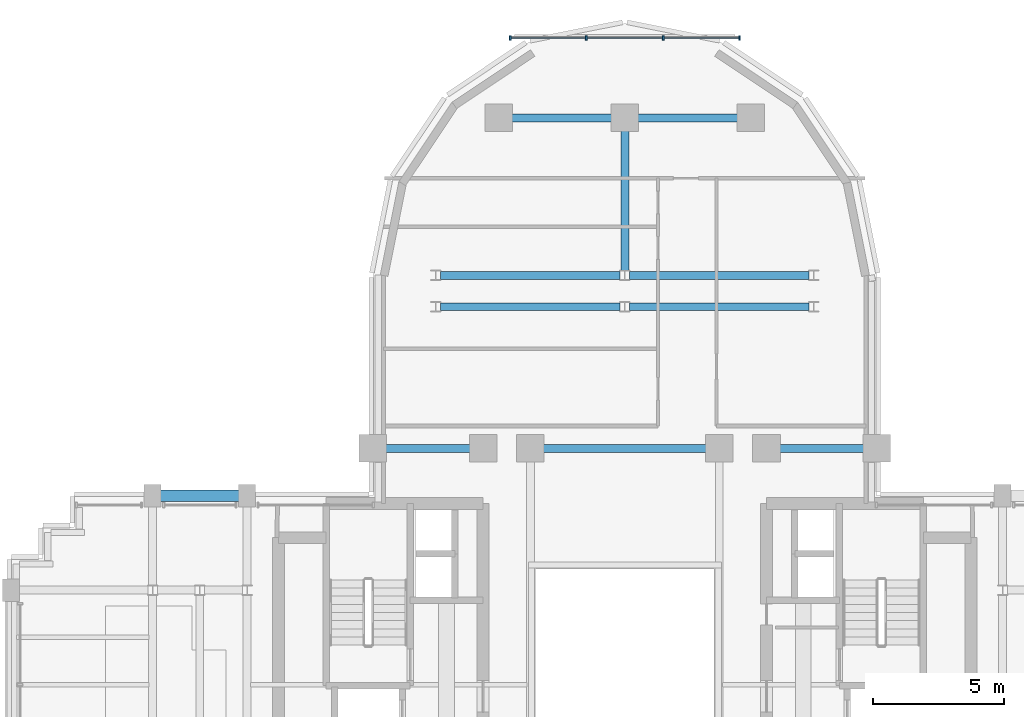
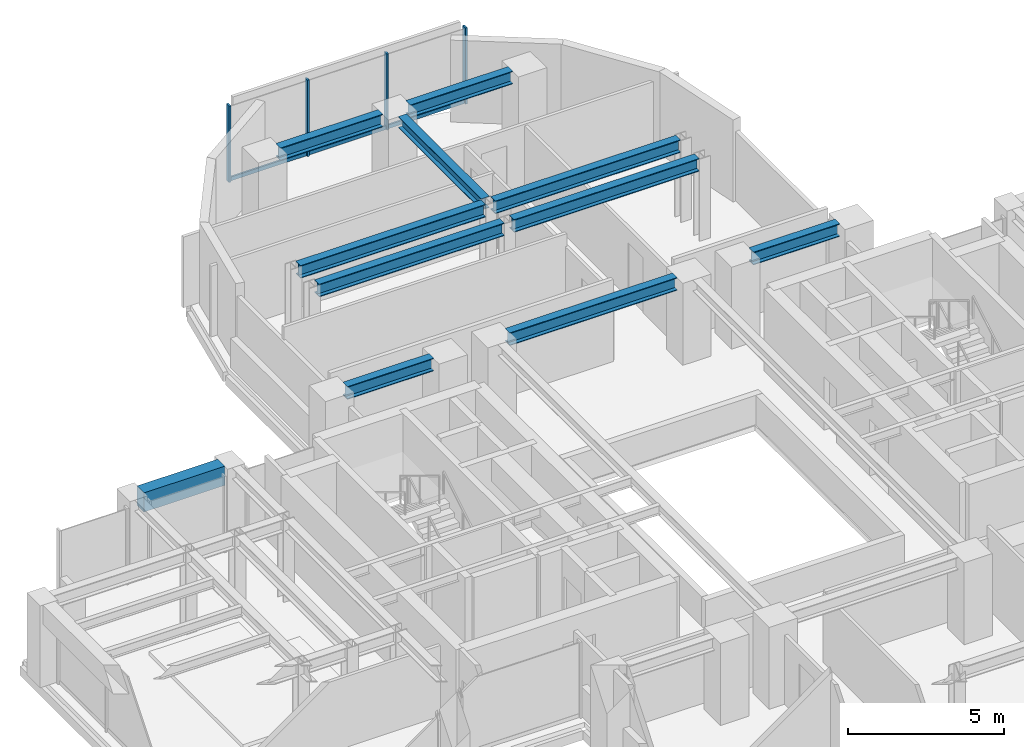
# One storey, part 6 of 13: 11 beams, 7 members, 1 element without a shape of its own.
"""IFC4 building model written with IfcOpenShell, lengths in metres."""

from ifc_helpers import new_model, si_unit, direction, frame, origin, origin_2d, place, context, subcontext, project, spatial, rectangle, i_section, extrude, source, transform, mapped, material, material_profile, profile_set, type_object, element, aggregate, save


model = new_model("IFC4")

# Units and contexts
model_context = context("Model", 3, precision=1e-05, world=origin(), true_north=direction((0.0, 1.0)))
body_context = subcontext(model_context, "Body", "Model", "MODEL_VIEW")
ifc_project = project(units=[si_unit("LENGTHUNIT", "METRE"), si_unit("AREAUNIT", "SQUARE_METRE"), si_unit("VOLUMEUNIT", "CUBIC_METRE"), si_unit("PLANEANGLEUNIT", "RADIAN"), si_unit("MASSUNIT", "GRAM", prefix="KILO")], contexts=[model_context])

# Site, building, storey
site_placement = place(None, origin())
site = spatial("IfcSite", under=ifc_project, at=site_placement, CompositionType="ELEMENT")
building_placement = place(site_placement, origin())
building = spatial("IfcBuilding", under=site, at=building_placement, Name="Keilestroom Media Tower", CompositionType="ELEMENT")
storey_placement = place(building_placement, frame((0.0, 0.0, 131.199951171875)))
storey = spatial("IfcBuildingStorey", under=building, at=storey_placement, Name="L35", CompositionType="ELEMENT", Elevation=131.199951171875)

# Beams
ifc_material_1 = material(Name="Steel S355", Category="steel")
ifc_material_profile_1 = material_profile(ifc_material_1, i_section(OverallWidth=0.300048828125, OverallDepth=0.5, WebThickness=0.012451171875, FlangeThickness=0.028076171875, at=origin_2d()), Name="HEB 500")
ifc_profile_set_1 = profile_set([ifc_material_profile_1], Name="Steel S355")
beam_type_1 = type_object("IfcBeamType", Name="Primary-Structural-Girder-HEB-500", PredefinedType="BEAM", material=ifc_profile_set_1)
shared_shape_1 = source(origin(), body_context, "Body", "SweptSolid", [
    extrude(i_section(OverallWidth=0.300048828125, OverallDepth=0.5, WebThickness=0.012451171875, FlangeThickness=0.028076171875, at=origin_2d()), origin(), (0.0, 0.0, 1.0), 3.7900390625),
])
for number, where, z_axis, x_axis, name in (
    (1, (-4.294921875, 21.60009765625, 2.949951171875), (1.0, 0.0, 0.0), (0.0, 1.0, 0.0), "L35 Beam BG-6 BM-L35-EW-037"),
    (2, (0.5048828125, 21.60009765625, 2.949951171875), (1.0, 0.0, 0.0), (0.0, 1.0, 0.0), "L35 Beam BG-6 BM-L35-EW-038"),
):
    element("IfcBeam", number, at=place(storey_placement, frame(where, z_axis=z_axis, x_axis=x_axis)), inside=storey, type_object=beam_type_1, Name=name, PredefinedType="BEAM", context=body_context, shape_type="MappedRepresentation", body=[
        mapped(shared_shape_1, transform((0.0, 0.0, 0.0), x_axis=(1.0, 0.0, 0.0), y_axis=(0.0, 1.0, 0.0), z_axis=(0.0, 0.0, 1.0), scale=1.0)),
    ])
shared_shape_2 = source(origin(), body_context, "Body", "SweptSolid", [
    extrude(i_section(OverallWidth=0.300048828125, OverallDepth=0.5, WebThickness=0.012451171875, FlangeThickness=0.028076171875, at=origin_2d()), origin(), (0.0, 0.0, 1.0), 6.839111328125),
])
for number, where, z_axis, x_axis, name in (
    (3, (-7.01953125, 14.39990234375, 2.949951171875), (1.0, 0.0, 0.0), (0.0, 1.0, 0.0), "L35 Beam BG-6 BM-L35-EW-033"),
    (4, (0.180419921875, 14.39990234375, 2.949951171875), (1.0, 0.0, 0.0), (0.0, 1.0, 0.0), "L35 Beam BG-6 BM-L35-EW-034"),
    (5, (-7.01953125, 15.60009765625, 2.949951171875), (1.0, 0.0, 0.0), (0.0, 1.0, 0.0), "L35 Beam BG-6 BM-L35-EW-035"),
    (6, (0.180419921875, 15.60009765625, 2.949951171875), (1.0, 0.0, 0.0), (0.0, 1.0, 0.0), "L35 Beam BG-6 BM-L35-EW-036"),
):
    element("IfcBeam", number, at=place(storey_placement, frame(where, z_axis=z_axis, x_axis=x_axis)), inside=storey, type_object=beam_type_1, Name=name, PredefinedType="BEAM", context=body_context, shape_type="MappedRepresentation", body=[
        mapped(shared_shape_2, transform((0.0, 0.0, 0.0), x_axis=(1.0, 0.0, 0.0), y_axis=(0.0, 1.0, 0.0), z_axis=(0.0, 0.0, 1.0), scale=1.0)),
    ])
shared_shape_3 = source(origin(), body_context, "Body", "SweptSolid", [
    extrude(i_section(OverallWidth=0.300048828125, OverallDepth=0.5, WebThickness=0.012451171875, FlangeThickness=0.028076171875, at=origin_2d()), origin(), (0.0, 0.0, 1.0), 3.18994140625),
])
for number, where, z_axis, x_axis, name in (
    (7, (-9.094970703125, 9.0, 2.949951171875), (1.0, 0.0, 0.0), (0.0, 1.0, 0.0), "L35 Beam BG-6 BM-L35-EW-028"),
    (8, (5.905029296875, 9.0, 2.949951171875), (1.0, 0.0, 0.0), (0.0, 1.0, 0.0), "L35 Beam BG-6 BM-L35-EW-032"),
):
    element("IfcBeam", number, at=place(storey_placement, frame(where, z_axis=z_axis, x_axis=x_axis)), inside=storey, type_object=beam_type_1, Name=name, PredefinedType="BEAM", context=body_context, shape_type="MappedRepresentation", body=[
        mapped(shared_shape_3, transform((0.0, 0.0, 0.0), x_axis=(1.0, 0.0, 0.0), y_axis=(0.0, 1.0, 0.0), z_axis=(0.0, 0.0, 1.0), scale=1.0)),
    ])
shared_shape_4 = source(origin(), body_context, "Body", "SweptSolid", [
    extrude(i_section(OverallWidth=0.300048828125, OverallDepth=0.5, WebThickness=0.012451171875, FlangeThickness=0.028076171875, at=origin_2d()), origin(), (0.0, 0.0, 1.0), 6.18994140625),
])
beam_1_placement = place(storey_placement, frame((-3.094970703125, 9.0, 2.949951171875), z_axis=(1.0, 0.0, 0.0), x_axis=(0.0, 1.0, 0.0)))
element("IfcBeam", 9, at=beam_1_placement, inside=storey, type_object=beam_type_1, Name="L35 Beam BG-6 BM-L35-EW-030", PredefinedType="BEAM", context=body_context, shape_type="MappedRepresentation", body=[
    mapped(shared_shape_4, transform((0.0, 0.0, 0.0), x_axis=(1.0, 0.0, 0.0), y_axis=(0.0, 1.0, 0.0), z_axis=(0.0, 0.0, 1.0), scale=1.0)),
])
ifc_material_2 = material(Name="Precast concrete C40/50", Category="concrete")
ifc_material_profile_2 = material_profile(ifc_material_2, rectangle(XDim=0.449951171875, YDim=0.75, at=origin_2d()), Name="PC 450x750")
ifc_profile_set_2 = profile_set([ifc_material_profile_2], Name="Precast concrete C40/50")
beam_type_2 = type_object("IfcBeamType", Name="Perimeter-Spandrel-Beam-PC-450x750", PredefinedType="SPANDREL", material=ifc_profile_set_2)
shared_shape_5 = source(origin(), body_context, "Body", "SweptSolid", [
    extrude(rectangle(XDim=0.449951171875, YDim=0.75, at=origin_2d()), origin(), (0.0, 0.0, 1.0), 2.989990234375),
])
beam_2_placement = place(storey_placement, frame((-17.695068359375, 7.199951171875, 2.824951171875), z_axis=(1.0, 0.0, 0.0), x_axis=(0.0, 1.0, 0.0)))
element("IfcBeam", 10, at=beam_2_placement, inside=storey, type_object=beam_type_2, Name="L35 Beam SPB-1 BM-L35-EW-026", PredefinedType="SPANDREL", context=body_context, shape_type="MappedRepresentation", body=[
    mapped(shared_shape_5, transform((0.0, 0.0, 0.0), x_axis=(1.0, 0.0, 0.0), y_axis=(0.0, 1.0, 0.0), z_axis=(0.0, 0.0, 1.0), scale=1.0)),
])
ifc_material_profile_3 = material_profile(ifc_material_1, i_section(OverallWidth=0.300048828125, OverallDepth=0.43994140625, WebThickness=0.011474609375, FlangeThickness=0.02099609375, at=origin_2d()), Name="HEA 450")
ifc_profile_set_3 = profile_set([ifc_material_profile_3], Name="Steel S355")
beam_type_3 = type_object("IfcBeamType", Name="Primary-Structural-Girder-HEA-450", PredefinedType="BEAM", material=ifc_profile_set_3)
shared_shape_6 = source(origin(), body_context, "Body", "SweptSolid", [
    extrude(i_section(OverallWidth=0.300048828125, OverallDepth=0.43994140625, WebThickness=0.011474609375, FlangeThickness=0.02099609375, at=origin_2d()), origin(), (0.0, 0.0, 1.0), 5.3154296875),
])
beam_3_placement = place(storey_placement, frame((0.0, 15.779541015625, 2.97998046875), z_axis=(0.0, 1.0, 0.0), x_axis=(-1.0, 0.0, 0.0)))
element("IfcBeam", 11, at=beam_3_placement, inside=storey, type_object=beam_type_3, Name="L35 Beam BG-11 BM-L35-NS-055", PredefinedType="BEAM", context=body_context, shape_type="MappedRepresentation", body=[
    mapped(shared_shape_6, transform((0.0, 0.0, 0.0), x_axis=(1.0, 0.0, 0.0), y_axis=(0.0, 1.0, 0.0), z_axis=(0.0, 0.0, 1.0), scale=1.0)),
])

# Curtain wall, members
ifc_material_3 = material(Name="Anodised Aluminium Alloy", Category="aluminium")
curtain_wall_type = type_object("IfcCurtainWallType", Name="Unitised-Curtain-Wall-CW-6", PredefinedType="NOTDEFINED", material=ifc_material_3)
curtain_wall_placement = place(storey_placement, origin())
curtain_wall = element("IfcCurtainWall", 12, at=curtain_wall_placement, inside=storey, type_object=curtain_wall_type, Name="L35 Curtain Wall CW-6 CW-L35-LN-1", PredefinedType="NOTDEFINED")
ifc_material_profile_4 = material_profile(ifc_material_3, rectangle(XDim=0.06494140625, YDim=0.179931640625, at=origin_2d()), Name="ALU MULLION 65x180")
ifc_profile_set_4 = profile_set([ifc_material_profile_4], Name="Anodised Aluminium Alloy")
member_type_1 = type_object("IfcMemberType", Name="Curtain-Wall-Mullion-CW-6", PredefinedType="MULLION", material=ifc_profile_set_4)
shared_shape_7 = source(origin(), body_context, "Body", "SweptSolid", [
    extrude(rectangle(XDim=0.06494140625, YDim=0.179931640625, at=origin_2d()), origin(), (0.0, 0.0, 1.0), 2.97998046875),
])
member_1_placement = place(storey_placement, frame((-4.367431640625, 24.64990234375, 0.0), z_axis=(0.0, 0.0, 1.0), x_axis=(1.0, 0.0, 0.0)))
member_1 = element("IfcMember", 13, at=member_1_placement, type_object=member_type_1, Name="CW-6 Mullion 00", PredefinedType="MULLION", context=body_context, shape_type="MappedRepresentation", body=[
    mapped(shared_shape_7, transform((0.0, 0.0, 0.0), x_axis=(1.0, 0.0, 0.0), y_axis=(0.0, 1.0, 0.0), z_axis=(0.0, 0.0, 1.0), scale=1.0)),
])
member_2_placement = place(storey_placement, frame((-1.466796875, 24.64990234375, 0.0), z_axis=(0.0, 0.0, 1.0), x_axis=(1.0, 0.0, 0.0)))
member_2 = element("IfcMember", 14, at=member_2_placement, type_object=member_type_1, Name="CW-6 Mullion 01", PredefinedType="MULLION", context=body_context, shape_type="MappedRepresentation", body=[
    mapped(shared_shape_7, transform((0.0, 0.0, 0.0), x_axis=(1.0, 0.0, 0.0), y_axis=(0.0, 1.0, 0.0), z_axis=(0.0, 0.0, 1.0), scale=1.0)),
])
member_3_placement = place(storey_placement, frame((1.466796875, 24.64990234375, 0.0), z_axis=(0.0, 0.0, 1.0), x_axis=(1.0, 0.0, 0.0)))
member_3 = element("IfcMember", 15, at=member_3_placement, type_object=member_type_1, Name="CW-6 Mullion 02", PredefinedType="MULLION", context=body_context, shape_type="MappedRepresentation", body=[
    mapped(shared_shape_7, transform((0.0, 0.0, 0.0), x_axis=(1.0, 0.0, 0.0), y_axis=(0.0, 1.0, 0.0), z_axis=(0.0, 0.0, 1.0), scale=1.0)),
])
member_4_placement = place(storey_placement, frame((4.367431640625, 24.64990234375, 0.0), z_axis=(0.0, 0.0, 1.0), x_axis=(1.0, 0.0, 0.0)))
member_4 = element("IfcMember", 16, at=member_4_placement, type_object=member_type_1, Name="CW-6 Mullion 03", PredefinedType="MULLION", context=body_context, shape_type="MappedRepresentation", body=[
    mapped(shared_shape_7, transform((0.0, 0.0, 0.0), x_axis=(1.0, 0.0, 0.0), y_axis=(0.0, 1.0, 0.0), z_axis=(0.0, 0.0, 1.0), scale=1.0)),
])
ifc_material_profile_5 = material_profile(ifc_material_3, rectangle(XDim=0.06494140625, YDim=0.14990234375, at=origin_2d()), Name="ALU TRANSOM 65x150")
ifc_profile_set_5 = profile_set([ifc_material_profile_5], Name="Anodised Aluminium Alloy")
member_type_2 = type_object("IfcMemberType", Name="Curtain-Wall-Transom-CW-6", PredefinedType="USERDEFINED", material=ifc_profile_set_5)
shared_shape_8 = source(origin(), body_context, "Body", "SweptSolid", [
    extrude(rectangle(XDim=0.06494140625, YDim=0.14990234375, at=origin_2d()), origin(), (0.0, 0.0, 1.0), 2.839599609375),
])
member_5_placement = place(storey_placement, frame((-4.3369140625, 24.64990234375, 0.074951171875), z_axis=(1.0, 0.0, 0.0), x_axis=(0.0, 1.0, 0.0)))
member_5 = element("IfcMember", 17, at=member_5_placement, type_object=member_type_2, Name="CW-6 Transom 00.1", ObjectType="TRANSOM", PredefinedType="USERDEFINED", context=body_context, shape_type="MappedRepresentation", body=[
    mapped(shared_shape_8, transform((0.0, 0.0, 0.0), x_axis=(1.0, 0.0, 0.0), y_axis=(0.0, 1.0, 0.0), z_axis=(0.0, 0.0, 1.0), scale=1.0)),
])
member_6_placement = place(storey_placement, frame((1.497314453125, 24.64990234375, 0.074951171875), z_axis=(1.0, 0.0, 0.0), x_axis=(0.0, 1.0, 0.0)))
member_6 = element("IfcMember", 18, at=member_6_placement, type_object=member_type_2, Name="CW-6 Transom 02.1", ObjectType="TRANSOM", PredefinedType="USERDEFINED", context=body_context, shape_type="MappedRepresentation", body=[
    mapped(shared_shape_8, transform((0.0, 0.0, 0.0), x_axis=(1.0, 0.0, 0.0), y_axis=(0.0, 1.0, 0.0), z_axis=(0.0, 0.0, 1.0), scale=1.0)),
])
shared_shape_9 = source(origin(), body_context, "Body", "SweptSolid", [
    extrude(rectangle(XDim=0.06494140625, YDim=0.14990234375, at=origin_2d()), origin(), (0.0, 0.0, 1.0), 2.87255859375),
])
member_7_placement = place(storey_placement, frame((-1.436279296875, 24.64990234375, 0.074951171875), z_axis=(1.0, 0.0, 0.0), x_axis=(0.0, 1.0, 0.0)))
member_7 = element("IfcMember", 19, at=member_7_placement, type_object=member_type_2, Name="CW-6 Transom 01.1", ObjectType="TRANSOM", PredefinedType="USERDEFINED", context=body_context, shape_type="MappedRepresentation", body=[
    mapped(shared_shape_9, transform((0.0, 0.0, 0.0), x_axis=(1.0, 0.0, 0.0), y_axis=(0.0, 1.0, 0.0), z_axis=(0.0, 0.0, 1.0), scale=1.0)),
])
aggregate(curtain_wall, [member_1, member_2, member_3, member_4, member_5, member_7, member_6])

save(model, "model.ifc")
